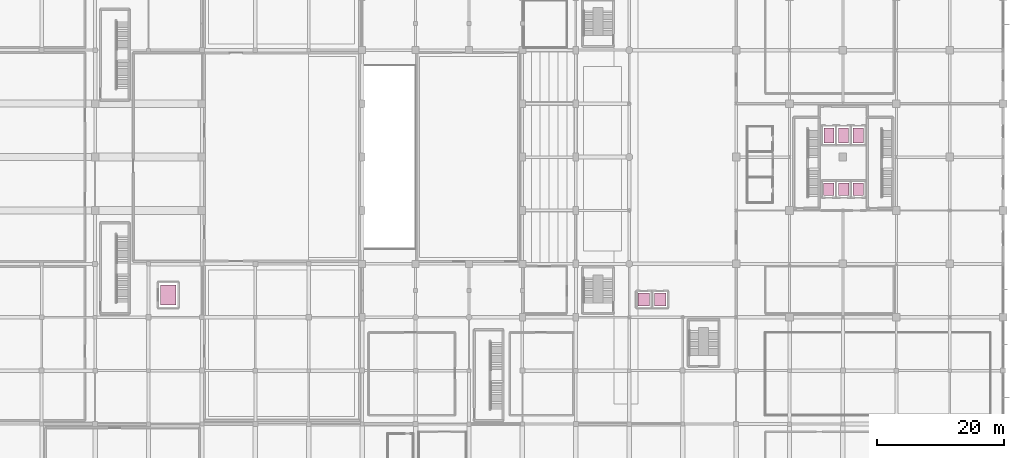
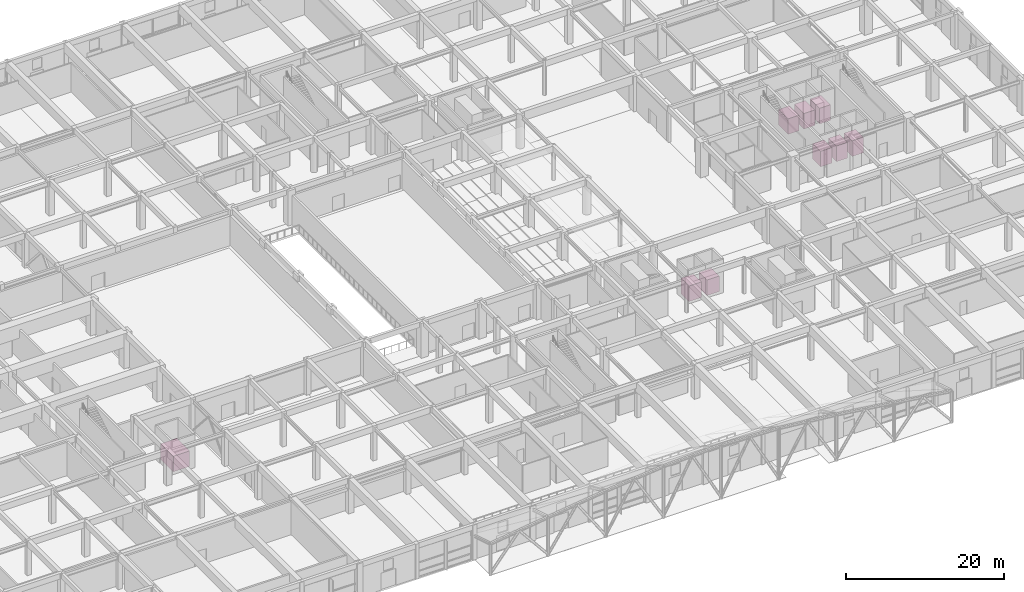
# One storey, part 62 of 62: 9 transport elements.
"""IFC4 building model written with IfcOpenShell, lengths in metres."""

import ifcopenshell
import ifcopenshell.guid

model = None  # the IFC model being written
_history = None  # IfcOwnerHistory: only IFC2X3 demands one
_inside = {}  # id of a spatial element -> (the spatial element, [elements in it])
_under = {}  # id of a project, library or spatial element -> (it, [spatial elements below it])
_declared = {}  # id of a project -> (the project, [libraries it declares])
_typed = {}  # id of a type object -> (the type object, [elements of that type])
_made_of = {}  # id of a material, layer set ... -> (it, [elements and type objects made of it])


def new_model(schema):
    """Start an empty IFC model of exactly this schema.

    Asked for "IFC4X3", IfcOpenShell would pick the latest addendum, in which some entities
    have other attributes; the version numbers below select the first issue.
    IFC2X3 requires an IfcOwnerHistory on every rooted entity: one is made here for all.
    """
    global model, _history
    if schema == "IFC4X3":
        model = ifcopenshell.file(schema_version=(4, 3, 0, 0))
    else:
        model = ifcopenshell.file(schema=schema)
    _inside.clear()
    _under.clear()
    _declared.clear()
    _typed.clear()
    _made_of.clear()
    _history = None
    if model.schema == "IFC2X3":
        org = make("IfcOrganization", Name="unknown")
        user = make(
            "IfcPersonAndOrganization",
            ThePerson=make("IfcPerson", FamilyName="unknown"),
            TheOrganization=org,
        )
        app = make(
            "IfcApplication",
            ApplicationDeveloper=org,
            Version="unknown",
            ApplicationFullName="unknown",
            ApplicationIdentifier="unknown",
        )
        _history = make(
            "IfcOwnerHistory",
            OwningUser=user,
            OwningApplication=app,
            ChangeAction="ADDED",
            CreationDate=0,
        )
    return model


def make(cls, **values):
    """One entity of the class cls with the attributes given. An attribute that is None is left unset."""
    return model.create_entity(
        cls, **{name: value for name, value in values.items() if value is not None}
    )


def rooted(cls, **values):
    """An entity with a GlobalId (a new one), such as an element, a storey or a relation."""
    return make(cls, GlobalId=ifcopenshell.guid.new(), OwnerHistory=_history, **values)


def si_unit(unit_type, name, prefix=None):
    """IfcSIUnit, for example si_unit("LENGTHUNIT", "METRE", prefix="MILLI")."""
    return make("IfcSIUnit", UnitType=unit_type, Prefix=prefix, Name=name)


def assignment(units):
    """IfcUnitAssignment: the units of a project."""
    return None if units is None else make("IfcUnitAssignment", Units=units)


def point(xyz):
    """IfcCartesianPoint."""
    return None if xyz is None else make("IfcCartesianPoint", Coordinates=xyz)


def direction(xyz):
    """IfcDirection."""
    return None if xyz is None else make("IfcDirection", DirectionRatios=xyz)


def frame(location, z_axis=None, x_axis=None):
    """IfcAxis2Placement3D, a coordinate frame: its origin and axes. An axis left out is left unset."""
    return make(
        "IfcAxis2Placement3D",
        Location=point(location),
        Axis=direction(z_axis),
        RefDirection=direction(x_axis),
    )


def frame_2d(location, x_axis=None):
    """IfcAxis2Placement2D, a coordinate frame in the plane: its origin and x axis."""
    return make(
        "IfcAxis2Placement2D", Location=point(location), RefDirection=direction(x_axis)
    )


def origin():
    """The frame at (0, 0, 0) with its axes left unset."""
    return frame((0.0, 0.0, 0.0))


def origin_2d():
    """The frame at (0, 0) in the plane with its x axis left unset."""
    return frame_2d((0.0, 0.0))


def place(relative_to, where):
    """IfcLocalPlacement: puts the frame where relative to a parent placement (None: the world)."""
    return make(
        "IfcLocalPlacement", PlacementRelTo=relative_to, RelativePlacement=where
    )


def context(
    kind, dimensions, precision=None, world=None, true_north=None, identifier=None
):
    """IfcGeometricRepresentationContext, for example the 3D "Model" context."""
    return make(
        "IfcGeometricRepresentationContext",
        ContextIdentifier=identifier,
        ContextType=kind,
        CoordinateSpaceDimension=dimensions,
        Precision=precision,
        WorldCoordinateSystem=world,
        TrueNorth=true_north,
    )


def subcontext(parent, identifier, kind, view, scale=None):
    """IfcGeometricRepresentationSubContext, for example "Body" below "Model"."""
    return make(
        "IfcGeometricRepresentationSubContext",
        ContextIdentifier=identifier,
        ContextType=kind,
        ParentContext=parent,
        TargetScale=scale,
        TargetView=view,
    )


def project(units=None, contexts=None):
    """IfcProject with its units and contexts."""
    return rooted(
        "IfcProject",
        Name="project",
        RepresentationContexts=contexts,
        UnitsInContext=assignment(units),
    )


def spatial(cls, under=None, at=None, **own):
    """A site, building, storey or space (cls), placed at a placement, below another one or the project."""
    s = rooted(cls, ObjectPlacement=at, **own)
    if under is not None:
        _under.setdefault(under.id(), (under, []))[1].append(s)
    return s


def profile(cls, at=None, kind="AREA", **sizes):
    """A parametric profile (cls). Its sizes go by their IFC names, for example OverallWidth=200.0."""
    return make(cls, ProfileType=kind, Position=at, **sizes)


def rectangle(**sizes):
    """IfcRectangleProfileDef."""
    return profile("IfcRectangleProfileDef", **sizes)


def extrude(swept, where, along, depth):
    """IfcExtrudedAreaSolid: the profile swept, set in the frame where, extruded along a direction by depth."""
    return make(
        "IfcExtrudedAreaSolid",
        SweptArea=swept,
        Position=where,
        ExtrudedDirection=direction(along),
        Depth=depth,
    )


def shape(context_of_items, identifier, shape_type, items):
    """IfcShapeRepresentation: the items that make up one representation, for example the "Body"."""
    return make(
        "IfcShapeRepresentation",
        ContextOfItems=context_of_items,
        RepresentationIdentifier=identifier,
        RepresentationType=shape_type,
        Items=items,
    )


def material(Name=None, Category=None):
    """IfcMaterial."""
    return make("IfcMaterial", Name=Name, Category=Category)


def made_of(thing, what):
    """Note that an element or type object is made of a material, layer set ...; save() writes the relation."""
    if what is not None:
        _made_of.setdefault(what.id(), (what, []))[1].append(thing)
    return thing


def type_object(cls, material=None, **own):
    """A type object (cls), such as IfcWallType, which elements share."""
    return made_of(rooted(cls, **own), material)


def element(
    cls,
    number,
    at=None,
    inside=None,
    cuts=None,
    type_object=None,
    material=None,
    context=None,
    identifier="Body",
    shape_type=None,
    held_by="IfcProductDefinitionShape",
    body=None,
    shapes=None,
    **own,
):
    """One element of the class cls, such as IfcWall. Its Tag is "e" and its number.

    at: its placement. inside: the storey or other place that contains it. cuts: it is an
    opening in that element (IfcRelVoidsElement). A single representation is given by context,
    identifier, shape_type and body (its items); several are given by shapes. held_by: the class
    of the entity that holds the representations. save() writes the other relations.
    """
    e = rooted(cls, Tag="e%d" % number, ObjectPlacement=at, **own)
    if body is not None:
        shapes = [shape(context, identifier, shape_type, body)]
    if shapes is not None:
        e.Representation = make(held_by, Representations=shapes)
    if inside is not None:
        _inside.setdefault(inside.id(), (inside, []))[1].append(e)
    if cuts is not None:
        rooted(
            "IfcRelVoidsElement", RelatingBuildingElement=cuts, RelatedOpeningElement=e
        )
    if type_object is not None:
        _typed.setdefault(type_object.id(), (type_object, []))[1].append(e)
    return made_of(e, material)


def aggregate(whole, parts):
    """IfcRelAggregates: a whole, such as a stair, and the parts it consists of."""
    return rooted("IfcRelAggregates", RelatingObject=whole, RelatedObjects=parts)


def save(model, path):
    """Write the relations noted so far, then the file.

    IfcRelAggregates (storeys below a building ...), IfcRelContainedInSpatialStructure (elements
    in a storey), IfcRelDefinesByType, IfcRelAssociatesMaterial and IfcRelDeclares: one each for
    every whole, place, type object, material and project.
    """
    for whole, parts in _under.values():
        aggregate(whole, parts)
    for where, things in _inside.values():
        rooted(
            "IfcRelContainedInSpatialStructure",
            RelatedElements=things,
            RelatingStructure=where,
        )
    for kind, things in _typed.values():
        rooted("IfcRelDefinesByType", RelatedObjects=things, RelatingType=kind)
    for what, things in _made_of.values():
        rooted("IfcRelAssociatesMaterial", RelatedObjects=things, RelatingMaterial=what)
    for by, libraries in _declared.values():
        rooted("IfcRelDeclares", RelatingContext=by, RelatedDefinitions=libraries)
    model.write(path)


model = new_model("IFC4")

# Units and contexts
model_context = context("Model", 3, precision=1e-05, world=origin(), true_north=direction((0.0, 1.0)))
body_context = subcontext(model_context, "Body", "Model", "MODEL_VIEW")
ifc_project = project(units=[si_unit("LENGTHUNIT", "METRE"), si_unit("AREAUNIT", "SQUARE_METRE"), si_unit("VOLUMEUNIT", "CUBIC_METRE"), si_unit("PLANEANGLEUNIT", "RADIAN"), si_unit("MASSUNIT", "GRAM", prefix="KILO")], contexts=[model_context])

# Site, building, storey
site_placement = place(None, origin())
site = spatial("IfcSite", under=ifc_project, at=site_placement, CompositionType="ELEMENT")
building_placement = place(site_placement, origin())
building = spatial("IfcBuilding", under=site, at=building_placement, Name="Xuanlan Plaza Opera House", CompositionType="ELEMENT")
storey_placement = place(building_placement, origin())
storey = spatial("IfcBuildingStorey", under=building, at=storey_placement, Name="L00", CompositionType="ELEMENT", Elevation=0.0)

# Transport elements
ifc_material = material(Name="Stainless Steel S30408", Category="steel")
transport_element_type_1 = type_object("IfcTransportElementType", Name="INT-ELV-ELV-FF", PredefinedType="ELEVATOR", material=ifc_material)
for number, where, name in (
    (1, (140.60009765625, 62.199951171875, 0.0), "Elevator LF-FF1"),
    (2, (142.89990234375, 62.199951171875, 0.0), "Elevator LF-FF2"),
    (3, (145.199951171875, 62.199951171875, 0.0), "Elevator LF-FF3"),
):
    element("IfcTransportElement", number, at=place(storey_placement, frame(where)), inside=storey, type_object=transport_element_type_1, Name=name, PredefinedType="ELEVATOR", context=body_context, shape_type="SweptSolid", body=[
        extrude(rectangle(XDim=1.60009765625, YDim=2.39990234375, at=origin_2d()), origin(), (0.0, 0.0, 1.0), 2.39990234375),
    ])
transport_element_type_2 = type_object("IfcTransportElementType", Name="INT-ELV-ELV-OP", PredefinedType="ELEVATOR", material=ifc_material)
for number, where, name in (
    (4, (111.5, 36.39990234375, 0.0), "Elevator LF-OP1"),
    (5, (114.10009765625, 36.39990234375, 0.0), "Elevator LF-OP2"),
):
    element("IfcTransportElement", number, at=place(storey_placement, frame(where)), inside=storey, type_object=transport_element_type_2, Name=name, PredefinedType="ELEVATOR", context=body_context, shape_type="SweptSolid", body=[
        extrude(rectangle(XDim=1.800048828125, YDim=2.0, at=origin_2d()), origin(), (0.0, 0.0, 1.0), 2.39990234375),
    ])
transport_element_type_3 = type_object("IfcTransportElementType", Name="INT-ELV-ELV-SC", PredefinedType="ELEVATOR", material=ifc_material)
transport_element_placement = place(storey_placement, frame((36.699951171875, 37.10009765625, 0.0)))
element("IfcTransportElement", 6, at=transport_element_placement, inside=storey, type_object=transport_element_type_3, Name="Elevator LF-SC1", PredefinedType="ELEVATOR", context=body_context, shape_type="SweptSolid", body=[
    extrude(rectangle(XDim=2.39990234375, YDim=3.199951171875, at=origin_2d()), origin(), (0.0, 0.0, 1.0), 2.39990234375),
])
transport_element_type_4 = type_object("IfcTransportElementType", Name="INT-ELV-ELV-TP", PredefinedType="ELEVATOR", material=ifc_material)
for number, where, name in (
    (7, (140.60009765625, 53.75, 0.0), "Elevator LF-P1"),
    (8, (142.89990234375, 53.75, 0.0), "Elevator LF-P2"),
    (9, (145.199951171875, 53.75, 0.0), "Elevator LF-P3"),
):
    element("IfcTransportElement", number, at=place(storey_placement, frame(where)), inside=storey, type_object=transport_element_type_4, Name=name, PredefinedType="ELEVATOR", context=body_context, shape_type="SweptSolid", body=[
        extrude(rectangle(XDim=1.64990234375, YDim=2.0, at=origin_2d()), origin(), (0.0, 0.0, 1.0), 2.39990234375),
    ])

save(model, "model.ifc")
